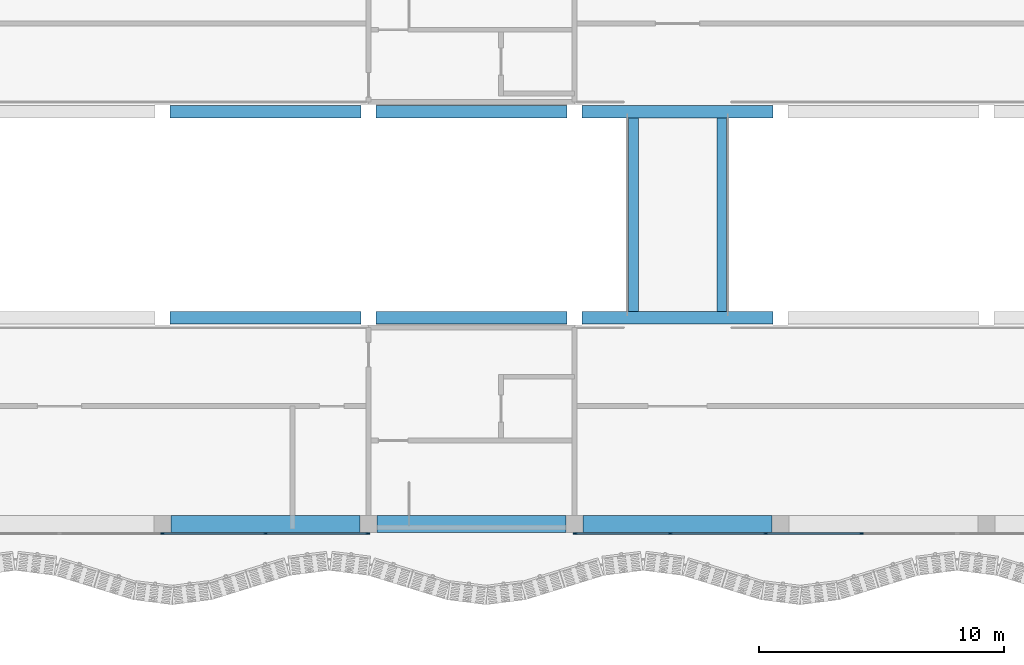
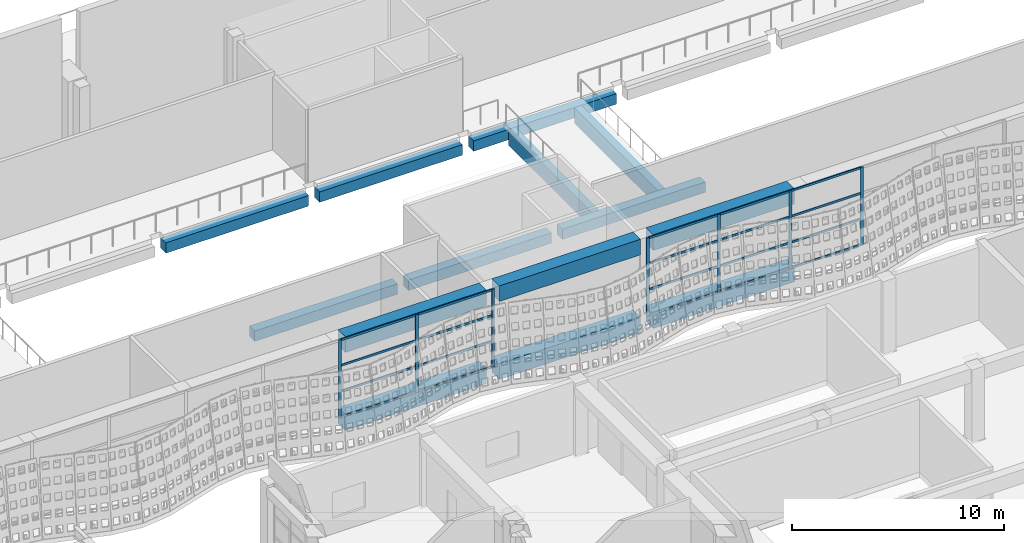
# One storey, part 50 of 162: 27 members, 14 beams, 2 elements without a shape of their own.
"""IFC4 building model written with IfcOpenShell, lengths in metres."""

from ifc_helpers import new_model, si_unit, direction, frame, origin, origin_2d, place, context, subcontext, project, spatial, rectangle, extrude, material, layer, layer_set, material_profile, profile_set, type_object, element, aggregate, save


model = new_model("IFC4")

# Units and contexts
model_context = context("Model", 3, precision=1e-05, world=origin(), true_north=direction((0.0, 1.0)))
body_context = subcontext(model_context, "Body", "Model", "MODEL_VIEW")
ifc_project = project(units=[si_unit("LENGTHUNIT", "METRE"), si_unit("AREAUNIT", "SQUARE_METRE"), si_unit("VOLUMEUNIT", "CUBIC_METRE"), si_unit("PLANEANGLEUNIT", "RADIAN"), si_unit("MASSUNIT", "GRAM", prefix="KILO")], contexts=[model_context])

# Site, building, storey
site_placement = place(None, origin())
site = spatial("IfcSite", under=ifc_project, at=site_placement, CompositionType="ELEMENT")
building_placement = place(site_placement, origin())
building = spatial("IfcBuilding", under=site, at=building_placement, Name="Rain Tree Exposition and Congress Centre", CompositionType="ELEMENT")
storey_placement = place(building_placement, frame((0.0, 0.0, 6.0)))
storey = spatial("IfcBuildingStorey", under=building, at=storey_placement, Name="L01", CompositionType="ELEMENT", Elevation=6.0)

# Curtain wall, members
ifc_material_1 = material(Name="Aluminium curtain wall system", Category="aluminium")
ifc_layer = layer(ifc_material_1, 0.10009765625)
ifc_layer_set = layer_set([ifc_layer], Name="Aluminium curtain wall system")
curtain_wall_type = type_object("IfcCurtainWallType", Name="Concourse curtain wall 4200 module", PredefinedType="NOTDEFINED", material=ifc_layer_set)
curtain_wall_1_placement = place(storey_placement, origin())
curtain_wall_1 = element("IfcCurtainWall", 1, at=curtain_wall_1_placement, inside=storey, type_object=curtain_wall_type, Name="Concourse curtain wall CWC25", PredefinedType="NOTDEFINED")
ifc_material_2 = material(Name="Aluminium mullion", Category="aluminium")
ifc_material_profile_1 = material_profile(ifc_material_2, rectangle(XDim=0.06005859375, YDim=0.159912109375, at=origin_2d()), Name="AL 60x160")
ifc_profile_set_1 = profile_set([ifc_material_profile_1], Name="Aluminium mullion")
member_type_1 = type_object("IfcMemberType", Name="Concourse curtain wall mullion 60x160", PredefinedType="MULLION", material=ifc_profile_set_1)
member_1_placement = place(storey_placement, frame((159.60009765625, 75.199951171875, 0.0), z_axis=(0.0, 0.0, 1.0), x_axis=(0.0, 1.0, 0.0)))
member_1 = element("IfcMember", 2, at=member_1_placement, type_object=member_type_1, Name="CWC25 mullion 9", PredefinedType="MULLION", context=body_context, shape_type="SweptSolid", body=[
    extrude(rectangle(XDim=0.06005859375, YDim=0.159912109375, at=origin_2d()), origin(), (0.0, 0.0, 1.0), 4.5),
])
member_2_placement = place(storey_placement, frame((163.800048828125, 75.199951171875, 0.0), z_axis=(0.0, 0.0, 1.0), x_axis=(0.0, 1.0, 0.0)))
member_2 = element("IfcMember", 3, at=member_2_placement, type_object=member_type_1, Name="CWC25 mullion 10", PredefinedType="MULLION", context=body_context, shape_type="SweptSolid", body=[
    extrude(rectangle(XDim=0.06005859375, YDim=0.159912109375, at=origin_2d()), origin(), (0.0, 0.0, 1.0), 4.5),
])
member_3_placement = place(storey_placement, frame((167.969970703125, 75.199951171875, 0.0), z_axis=(0.0, 0.0, 1.0), x_axis=(0.0, 1.0, 0.0)))
member_3 = element("IfcMember", 4, at=member_3_placement, type_object=member_type_1, Name="CWC25 mullion 11", PredefinedType="MULLION", context=body_context, shape_type="SweptSolid", body=[
    extrude(rectangle(XDim=0.06005859375, YDim=0.159912109375, at=origin_2d()), origin(), (0.0, 0.0, 1.0), 4.5),
])

curtain_wall_2_placement = place(storey_placement, origin())
curtain_wall_2 = element("IfcCurtainWall", 5, at=curtain_wall_2_placement, inside=storey, type_object=curtain_wall_type, Name="Concourse curtain wall CWC26", PredefinedType="NOTDEFINED")
member_4_placement = place(storey_placement, frame((176.429931640625, 75.199951171875, 0.0), z_axis=(0.0, 0.0, 1.0), x_axis=(0.0, 1.0, 0.0)))
member_4 = element("IfcMember", 6, at=member_4_placement, type_object=member_type_1, Name="CWC26 mullion 1", PredefinedType="MULLION", context=body_context, shape_type="SweptSolid", body=[
    extrude(rectangle(XDim=0.06005859375, YDim=0.159912109375, at=origin_2d()), origin(), (0.0, 0.0, 1.0), 4.5),
])
member_5_placement = place(storey_placement, frame((180.300048828125, 75.199951171875, 0.0), z_axis=(0.0, 0.0, 1.0), x_axis=(0.0, 1.0, 0.0)))
member_5 = element("IfcMember", 7, at=member_5_placement, type_object=member_type_1, Name="CWC26 mullion 2", PredefinedType="MULLION", context=body_context, shape_type="SweptSolid", body=[
    extrude(rectangle(XDim=0.06005859375, YDim=0.159912109375, at=origin_2d()), origin(), (0.0, 0.0, 1.0), 4.5),
])
member_6_placement = place(storey_placement, frame((184.199951171875, 75.199951171875, 0.0), z_axis=(0.0, 0.0, 1.0), x_axis=(0.0, 1.0, 0.0)))
member_6 = element("IfcMember", 8, at=member_6_placement, type_object=member_type_1, Name="CWC26 mullion 3", PredefinedType="MULLION", context=body_context, shape_type="SweptSolid", body=[
    extrude(rectangle(XDim=0.06005859375, YDim=0.159912109375, at=origin_2d()), origin(), (0.0, 0.0, 1.0), 4.5),
])
member_7_placement = place(storey_placement, frame((188.10009765625, 75.199951171875, 0.0), z_axis=(0.0, 0.0, 1.0), x_axis=(0.0, 1.0, 0.0)))
member_7 = element("IfcMember", 9, at=member_7_placement, type_object=member_type_1, Name="CWC26 mullion 4", PredefinedType="MULLION", context=body_context, shape_type="SweptSolid", body=[
    extrude(rectangle(XDim=0.06005859375, YDim=0.159912109375, at=origin_2d()), origin(), (0.0, 0.0, 1.0), 4.5),
])

# Member
ifc_material_3 = material(Name="Aluminium transom", Category="aluminium")
ifc_material_profile_2 = material_profile(ifc_material_3, rectangle(XDim=0.06005859375, YDim=0.1201171875, at=origin_2d()), Name="AL 60x120")
ifc_profile_set_2 = profile_set([ifc_material_profile_2], Name="Aluminium transom")
member_type_2 = type_object("IfcMemberType", Name="Concourse curtain wall transom 60x120", PredefinedType="USERDEFINED", material=ifc_profile_set_2)
member_8_placement = place(storey_placement, frame((159.6298828125, 75.199951171875, 0.030029296875), z_axis=(1.0, 0.0, 0.0), x_axis=(0.0, 1.0, 0.0)))
member_8 = element("IfcMember", 10, at=member_8_placement, type_object=member_type_2, Name="CWC25 transom 9.1", ObjectType="TRANSOM", PredefinedType="USERDEFINED", context=body_context, shape_type="SweptSolid", body=[
    extrude(rectangle(XDim=0.06005859375, YDim=0.1201171875, at=origin_2d()), origin(), (0.0, 0.0, 1.0), 4.14013671875),
])

member_9_placement = place(storey_placement, frame((159.6298828125, 75.199951171875, 1.5), z_axis=(1.0, 0.0, 0.0), x_axis=(0.0, 1.0, 0.0)))
member_9 = element("IfcMember", 11, at=member_9_placement, type_object=member_type_2, Name="CWC25 transom 9.2", ObjectType="TRANSOM", PredefinedType="USERDEFINED", context=body_context, shape_type="SweptSolid", body=[
    extrude(rectangle(XDim=0.06005859375, YDim=0.1201171875, at=origin_2d()), origin(), (0.0, 0.0, 1.0), 4.14013671875),
])

member_10_placement = place(storey_placement, frame((159.6298828125, 75.199951171875, 3.0), z_axis=(1.0, 0.0, 0.0), x_axis=(0.0, 1.0, 0.0)))
member_10 = element("IfcMember", 12, at=member_10_placement, type_object=member_type_2, Name="CWC25 transom 9.3", ObjectType="TRANSOM", PredefinedType="USERDEFINED", context=body_context, shape_type="SweptSolid", body=[
    extrude(rectangle(XDim=0.06005859375, YDim=0.1201171875, at=origin_2d()), origin(), (0.0, 0.0, 1.0), 4.14013671875),
])

member_11_placement = place(storey_placement, frame((159.6298828125, 75.199951171875, 4.469970703125), z_axis=(1.0, 0.0, 0.0), x_axis=(0.0, 1.0, 0.0)))
member_11 = element("IfcMember", 13, at=member_11_placement, type_object=member_type_2, Name="CWC25 transom 9.4", ObjectType="TRANSOM", PredefinedType="USERDEFINED", context=body_context, shape_type="SweptSolid", body=[
    extrude(rectangle(XDim=0.06005859375, YDim=0.1201171875, at=origin_2d()), origin(), (0.0, 0.0, 1.0), 4.14013671875),
])

member_12_placement = place(storey_placement, frame((163.830078125, 75.199951171875, 0.030029296875), z_axis=(1.0, 0.0, 0.0), x_axis=(0.0, 1.0, 0.0)))
member_12 = element("IfcMember", 14, at=member_12_placement, type_object=member_type_2, Name="CWC25 transom 10.1", ObjectType="TRANSOM", PredefinedType="USERDEFINED", context=body_context, shape_type="SweptSolid", body=[
    extrude(rectangle(XDim=0.06005859375, YDim=0.1201171875, at=origin_2d()), origin(), (0.0, 0.0, 1.0), 4.10986328125),
])

member_13_placement = place(storey_placement, frame((163.830078125, 75.199951171875, 1.5), z_axis=(1.0, 0.0, 0.0), x_axis=(0.0, 1.0, 0.0)))
member_13 = element("IfcMember", 15, at=member_13_placement, type_object=member_type_2, Name="CWC25 transom 10.2", ObjectType="TRANSOM", PredefinedType="USERDEFINED", context=body_context, shape_type="SweptSolid", body=[
    extrude(rectangle(XDim=0.06005859375, YDim=0.1201171875, at=origin_2d()), origin(), (0.0, 0.0, 1.0), 4.10986328125),
])

member_14_placement = place(storey_placement, frame((163.830078125, 75.199951171875, 3.0), z_axis=(1.0, 0.0, 0.0), x_axis=(0.0, 1.0, 0.0)))
member_14 = element("IfcMember", 16, at=member_14_placement, type_object=member_type_2, Name="CWC25 transom 10.3", ObjectType="TRANSOM", PredefinedType="USERDEFINED", context=body_context, shape_type="SweptSolid", body=[
    extrude(rectangle(XDim=0.06005859375, YDim=0.1201171875, at=origin_2d()), origin(), (0.0, 0.0, 1.0), 4.10986328125),
])

member_15_placement = place(storey_placement, frame((163.830078125, 75.199951171875, 4.469970703125), z_axis=(1.0, 0.0, 0.0), x_axis=(0.0, 1.0, 0.0)))
member_15 = element("IfcMember", 17, at=member_15_placement, type_object=member_type_2, Name="CWC25 transom 10.4", ObjectType="TRANSOM", PredefinedType="USERDEFINED", context=body_context, shape_type="SweptSolid", body=[
    extrude(rectangle(XDim=0.06005859375, YDim=0.1201171875, at=origin_2d()), origin(), (0.0, 0.0, 1.0), 4.10986328125),
])

aggregate(curtain_wall_1, [member_1, member_2, member_3, member_8, member_9, member_10, member_11, member_12, member_13, member_14, member_15])

member_16_placement = place(storey_placement, frame((176.4599609375, 75.199951171875, 0.030029296875), z_axis=(1.0, 0.0, 0.0), x_axis=(0.0, 1.0, 0.0)))
member_16 = element("IfcMember", 18, at=member_16_placement, type_object=member_type_2, Name="CWC26 transom 1.1", ObjectType="TRANSOM", PredefinedType="USERDEFINED", context=body_context, shape_type="SweptSolid", body=[
    extrude(rectangle(XDim=0.06005859375, YDim=0.1201171875, at=origin_2d()), origin(), (0.0, 0.0, 1.0), 3.81005859375),
])

member_17_placement = place(storey_placement, frame((176.4599609375, 75.199951171875, 1.5), z_axis=(1.0, 0.0, 0.0), x_axis=(0.0, 1.0, 0.0)))
member_17 = element("IfcMember", 19, at=member_17_placement, type_object=member_type_2, Name="CWC26 transom 1.2", ObjectType="TRANSOM", PredefinedType="USERDEFINED", context=body_context, shape_type="SweptSolid", body=[
    extrude(rectangle(XDim=0.06005859375, YDim=0.1201171875, at=origin_2d()), origin(), (0.0, 0.0, 1.0), 3.81005859375),
])

member_18_placement = place(storey_placement, frame((176.4599609375, 75.199951171875, 3.0), z_axis=(1.0, 0.0, 0.0), x_axis=(0.0, 1.0, 0.0)))
member_18 = element("IfcMember", 20, at=member_18_placement, type_object=member_type_2, Name="CWC26 transom 1.3", ObjectType="TRANSOM", PredefinedType="USERDEFINED", context=body_context, shape_type="SweptSolid", body=[
    extrude(rectangle(XDim=0.06005859375, YDim=0.1201171875, at=origin_2d()), origin(), (0.0, 0.0, 1.0), 3.81005859375),
])

member_19_placement = place(storey_placement, frame((176.4599609375, 75.199951171875, 4.469970703125), z_axis=(1.0, 0.0, 0.0), x_axis=(0.0, 1.0, 0.0)))
member_19 = element("IfcMember", 21, at=member_19_placement, type_object=member_type_2, Name="CWC26 transom 1.4", ObjectType="TRANSOM", PredefinedType="USERDEFINED", context=body_context, shape_type="SweptSolid", body=[
    extrude(rectangle(XDim=0.06005859375, YDim=0.1201171875, at=origin_2d()), origin(), (0.0, 0.0, 1.0), 3.81005859375),
])

member_20_placement = place(storey_placement, frame((180.330078125, 75.199951171875, 0.030029296875), z_axis=(1.0, 0.0, 0.0), x_axis=(0.0, 1.0, 0.0)))
member_20 = element("IfcMember", 22, at=member_20_placement, type_object=member_type_2, Name="CWC26 transom 2.1", ObjectType="TRANSOM", PredefinedType="USERDEFINED", context=body_context, shape_type="SweptSolid", body=[
    extrude(rectangle(XDim=0.06005859375, YDim=0.1201171875, at=origin_2d()), origin(), (0.0, 0.0, 1.0), 3.83984375),
])

member_21_placement = place(storey_placement, frame((180.330078125, 75.199951171875, 1.5), z_axis=(1.0, 0.0, 0.0), x_axis=(0.0, 1.0, 0.0)))
member_21 = element("IfcMember", 23, at=member_21_placement, type_object=member_type_2, Name="CWC26 transom 2.2", ObjectType="TRANSOM", PredefinedType="USERDEFINED", context=body_context, shape_type="SweptSolid", body=[
    extrude(rectangle(XDim=0.06005859375, YDim=0.1201171875, at=origin_2d()), origin(), (0.0, 0.0, 1.0), 3.83984375),
])

member_22_placement = place(storey_placement, frame((180.330078125, 75.199951171875, 3.0), z_axis=(1.0, 0.0, 0.0), x_axis=(0.0, 1.0, 0.0)))
member_22 = element("IfcMember", 24, at=member_22_placement, type_object=member_type_2, Name="CWC26 transom 2.3", ObjectType="TRANSOM", PredefinedType="USERDEFINED", context=body_context, shape_type="SweptSolid", body=[
    extrude(rectangle(XDim=0.06005859375, YDim=0.1201171875, at=origin_2d()), origin(), (0.0, 0.0, 1.0), 3.83984375),
])

member_23_placement = place(storey_placement, frame((180.330078125, 75.199951171875, 4.469970703125), z_axis=(1.0, 0.0, 0.0), x_axis=(0.0, 1.0, 0.0)))
member_23 = element("IfcMember", 25, at=member_23_placement, type_object=member_type_2, Name="CWC26 transom 2.4", ObjectType="TRANSOM", PredefinedType="USERDEFINED", context=body_context, shape_type="SweptSolid", body=[
    extrude(rectangle(XDim=0.06005859375, YDim=0.1201171875, at=origin_2d()), origin(), (0.0, 0.0, 1.0), 3.83984375),
])

member_24_placement = place(storey_placement, frame((184.22998046875, 75.199951171875, 0.030029296875), z_axis=(1.0, 0.0, 0.0), x_axis=(0.0, 1.0, 0.0)))
member_24 = element("IfcMember", 26, at=member_24_placement, type_object=member_type_2, Name="CWC26 transom 3.1", ObjectType="TRANSOM", PredefinedType="USERDEFINED", context=body_context, shape_type="SweptSolid", body=[
    extrude(rectangle(XDim=0.06005859375, YDim=0.1201171875, at=origin_2d()), origin(), (0.0, 0.0, 1.0), 3.840087890625),
])

member_25_placement = place(storey_placement, frame((184.22998046875, 75.199951171875, 1.5), z_axis=(1.0, 0.0, 0.0), x_axis=(0.0, 1.0, 0.0)))
member_25 = element("IfcMember", 27, at=member_25_placement, type_object=member_type_2, Name="CWC26 transom 3.2", ObjectType="TRANSOM", PredefinedType="USERDEFINED", context=body_context, shape_type="SweptSolid", body=[
    extrude(rectangle(XDim=0.06005859375, YDim=0.1201171875, at=origin_2d()), origin(), (0.0, 0.0, 1.0), 3.840087890625),
])

member_26_placement = place(storey_placement, frame((184.22998046875, 75.199951171875, 3.0), z_axis=(1.0, 0.0, 0.0), x_axis=(0.0, 1.0, 0.0)))
member_26 = element("IfcMember", 28, at=member_26_placement, type_object=member_type_2, Name="CWC26 transom 3.3", ObjectType="TRANSOM", PredefinedType="USERDEFINED", context=body_context, shape_type="SweptSolid", body=[
    extrude(rectangle(XDim=0.06005859375, YDim=0.1201171875, at=origin_2d()), origin(), (0.0, 0.0, 1.0), 3.840087890625),
])

member_27_placement = place(storey_placement, frame((184.22998046875, 75.199951171875, 4.469970703125), z_axis=(1.0, 0.0, 0.0), x_axis=(0.0, 1.0, 0.0)))
member_27 = element("IfcMember", 29, at=member_27_placement, type_object=member_type_2, Name="CWC26 transom 3.4", ObjectType="TRANSOM", PredefinedType="USERDEFINED", context=body_context, shape_type="SweptSolid", body=[
    extrude(rectangle(XDim=0.06005859375, YDim=0.1201171875, at=origin_2d()), origin(), (0.0, 0.0, 1.0), 3.840087890625),
])

aggregate(curtain_wall_2, [member_4, member_5, member_6, member_7, member_16, member_17, member_18, member_19, member_20, member_21, member_22, member_23, member_24, member_25, member_26, member_27])

# Beams
ifc_material_4 = material(Name="Precast concrete C50/60", Category="concrete")
ifc_material_profile_3 = material_profile(ifc_material_4, rectangle(XDim=0.39990234375, YDim=0.89990234375, at=origin_2d()), Name="RC 400x900")
ifc_profile_set_3 = profile_set([ifc_material_profile_3], Name="Precast concrete C50/60")
beam_type_1 = type_object("IfcBeamType", Name="Precast beam 400x900", PredefinedType="BEAM", material=ifc_profile_set_3)
for number, where, z_axis, x_axis, name in (
    (30, (178.800048828125, 84.25, -0.75), (0.0, 1.0, 0.0), (-1.0, 0.0, 0.0), "Concourse bridge beam 6.1"),
    (31, (182.39990234375, 84.25, -0.75), (0.0, 1.0, 0.0), (-1.0, 0.0, 0.0), "Concourse bridge beam 6.2"),
):
    element("IfcBeam", number, at=place(storey_placement, frame(where, z_axis=z_axis, x_axis=x_axis)), inside=storey, type_object=beam_type_1, Name=name, PredefinedType="BEAM", context=body_context, shape_type="SweptSolid", body=[
        extrude(rectangle(XDim=0.39990234375, YDim=0.89990234375, at=origin_2d()), origin(), (0.0, 0.0, 1.0), 7.89990234375),
    ])
ifc_material_5 = material(Name="Precast concrete C50/60", Category="concrete")
ifc_material_profile_4 = material_profile(ifc_material_5, rectangle(XDim=0.5, YDim=0.60009765625, at=origin_2d()), Name="RC 500x600")
ifc_profile_set_4 = profile_set([ifc_material_profile_4], Name="Precast concrete C50/60")
beam_type_2 = type_object("IfcBeamType", Name="Precast beam 500x600", PredefinedType="BEAM", material=ifc_profile_set_4)
for number, where, z_axis, x_axis, name in (
    (32, (159.89990234375, 84.0, -0.60009765625), (1.0, 0.0, 0.0), (0.0, 1.0, 0.0), "Concourse floor beam 52"),
    (33, (168.300048828125, 84.0, -0.60009765625), (1.0, 0.0, 0.0), (0.0, 1.0, 0.0), "Concourse floor beam 53"),
    (34, (176.699951171875, 84.0, -0.60009765625), (1.0, 0.0, 0.0), (0.0, 1.0, 0.0), "Concourse floor beam 54"),
    (35, (159.89990234375, 92.39990234375, -0.60009765625), (1.0, 0.0, 0.0), (0.0, 1.0, 0.0), "Concourse floor beam 84"),
    (36, (168.300048828125, 92.39990234375, -0.60009765625), (1.0, 0.0, 0.0), (0.0, 1.0, 0.0), "Concourse floor beam 85"),
    (37, (176.699951171875, 92.39990234375, -0.60009765625), (1.0, 0.0, 0.0), (0.0, 1.0, 0.0), "Concourse floor beam 86"),
):
    element("IfcBeam", number, at=place(storey_placement, frame(where, z_axis=z_axis, x_axis=x_axis)), inside=storey, type_object=beam_type_2, Name=name, PredefinedType="BEAM", context=body_context, shape_type="SweptSolid", body=[
        extrude(rectangle(XDim=0.5, YDim=0.60009765625, at=origin_2d()), origin(), (0.0, 0.0, 1.0), 7.800048828125),
    ])
ifc_material_6 = material(Name="Precast concrete C50/60", Category="concrete")
ifc_material_profile_5 = material_profile(ifc_material_6, rectangle(XDim=0.699951171875, YDim=0.89990234375, at=origin_2d()), Name="RC 700x900")
ifc_profile_set_5 = profile_set([ifc_material_profile_5], Name="Precast concrete C50/60")
beam_type_3 = type_object("IfcBeamType", Name="Precast beam 700x900", PredefinedType="BEAM", material=ifc_profile_set_5)
for number, where, z_axis, x_axis, name in (
    (38, (159.949951171875, 75.60009765625, -0.449951171875), (1.0, 0.0, 0.0), (0.0, 1.0, 0.0), "Concourse edge beam 20"),
    (39, (168.35009765625, 75.60009765625, -0.449951171875), (1.0, 0.0, 0.0), (0.0, 1.0, 0.0), "Concourse edge beam 21"),
    (40, (176.75, 75.60009765625, -0.449951171875), (1.0, 0.0, 0.0), (0.0, 1.0, 0.0), "Concourse edge beam 22"),
    (41, (159.949951171875, 75.60009765625, 4.050048828125), (1.0, 0.0, 0.0), (0.0, 1.0, 0.0), "Concourse roof edge beam 20"),
    (42, (168.35009765625, 75.60009765625, 4.050048828125), (1.0, 0.0, 0.0), (0.0, 1.0, 0.0), "Concourse roof edge beam 21"),
    (43, (176.75, 75.60009765625, 4.050048828125), (1.0, 0.0, 0.0), (0.0, 1.0, 0.0), "Concourse roof edge beam 22"),
):
    element("IfcBeam", number, at=place(storey_placement, frame(where, z_axis=z_axis, x_axis=x_axis)), inside=storey, type_object=beam_type_3, Name=name, PredefinedType="BEAM", context=body_context, shape_type="SweptSolid", body=[
        extrude(rectangle(XDim=0.699951171875, YDim=0.89990234375, at=origin_2d()), origin(), (0.0, 0.0, 1.0), 7.699951171875),
    ])

save(model, "model.ifc")
